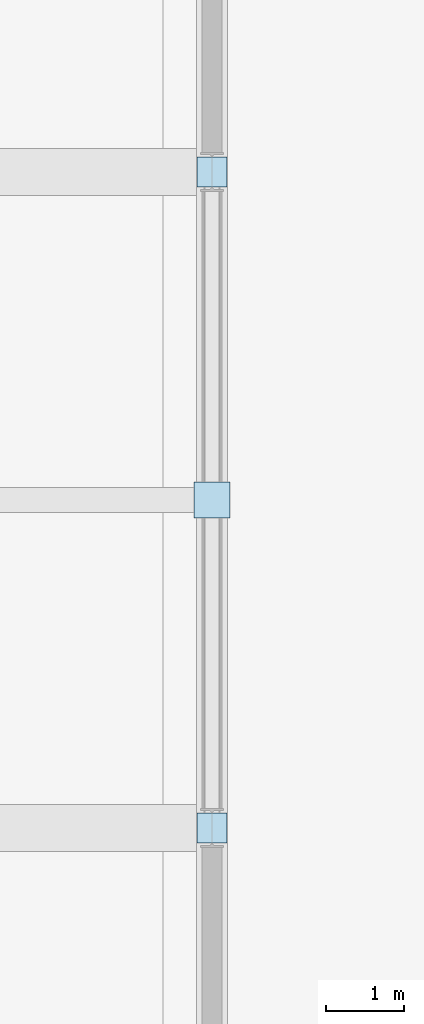
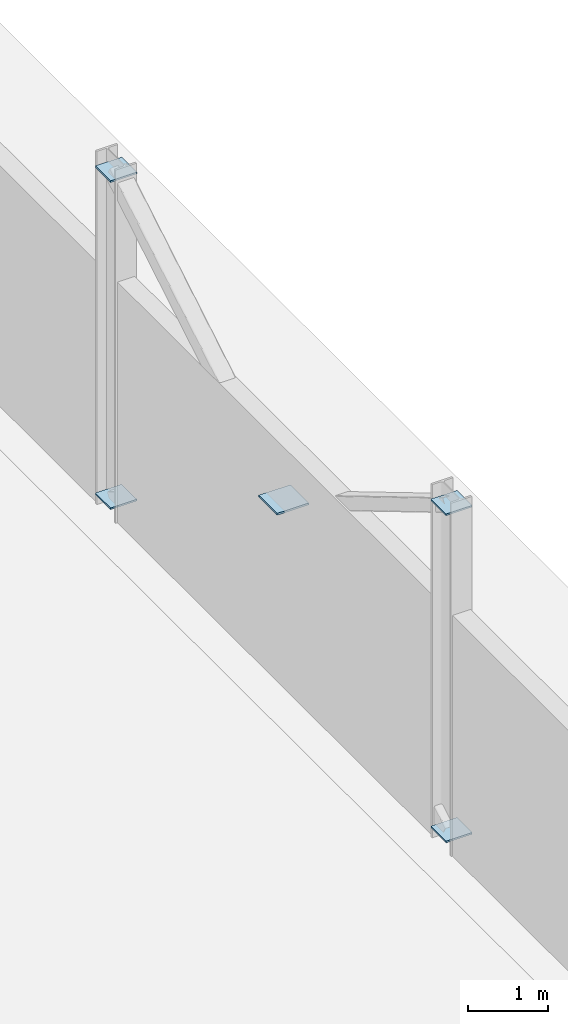
# One storey, part 85 of 124: 5 plates.
"""IFC4 building model written with IfcOpenShell, lengths in metres."""

from ifc_helpers import new_model, si_unit, direction, frame, origin, origin_2d, place, context, subcontext, project, spatial, rectangle, extrude, material, layer, layer_set, type_object, element, save


model = new_model("IFC4")

# Units and contexts
model_context = context("Model", 3, precision=1e-05, world=origin(), true_north=direction((0.0, 1.0)))
body_context = subcontext(model_context, "Body", "Model", "MODEL_VIEW")
ifc_project = project(units=[si_unit("LENGTHUNIT", "METRE"), si_unit("AREAUNIT", "SQUARE_METRE"), si_unit("VOLUMEUNIT", "CUBIC_METRE"), si_unit("PLANEANGLEUNIT", "RADIAN"), si_unit("MASSUNIT", "GRAM", prefix="KILO")], contexts=[model_context])

# Site, building, storey
site_placement = place(None, origin())
site = spatial("IfcSite", under=ifc_project, at=site_placement, CompositionType="ELEMENT")
building_placement = place(site_placement, origin())
building = spatial("IfcBuilding", under=site, at=building_placement, Name="Brelvane Convention Centre", CompositionType="ELEMENT")
storey_placement = place(building_placement, origin())
storey = spatial("IfcBuildingStorey", under=building, at=storey_placement, Name="L00", CompositionType="ELEMENT", Elevation=0.0)

# Plates
ifc_material_1 = material(Name="Steel E450 (450 MPa)", Category="steel")
ifc_layer_1 = layer(ifc_material_1, 0.028076171875)
ifc_layer_set_1 = layer_set([ifc_layer_1], Name="Steel E450 (450 MPa)")
plate_type_1 = type_object("IfcPlateType", Name="Steel Node Gusset Plate ND-2", PredefinedType="SHEET", material=ifc_layer_set_1)
plate_placement = place(storey_placement, frame((224.39990234375, 123.0, 2.68603515625), z_axis=(0.0, 0.0, 1.0), x_axis=(1.0, 0.0, 0.0)))
element("IfcPlate", 1, at=plate_placement, inside=storey, type_object=plate_type_1, Name="X-Brace Central Gusset V3E-1-L00", PredefinedType="SHEET", context=body_context, shape_type="SweptSolid", body=[
    extrude(rectangle(XDim=0.4599609375, YDim=0.4599609375, at=origin_2d()), origin(), (0.0, 0.0, 1.0), 0.028076171875),
])
ifc_material_2 = material(Name="Steel E450 (450 MPa)", Category="steel")
ifc_layer_2 = layer(ifc_material_2, 0.02490234375)
ifc_layer_set_2 = layer_set([ifc_layer_2], Name="Steel E450 (450 MPa)")
plate_type_2 = type_object("IfcPlateType", Name="Steel Node Gusset Plate ND-3", PredefinedType="SHEET", material=ifc_layer_set_2)
for number, where, z_axis, x_axis, name in (
    (2, (224.39990234375, 118.800048828125, 0.1875), (0.0, 0.0, 1.0), (1.0, 0.0, 0.0), "X-Brace End Gusset V3E-1-L00-1"),
    (3, (224.39990234375, 127.199951171875, 5.1875), (0.0, 0.0, 1.0), (1.0, 0.0, 0.0), "X-Brace End Gusset V3E-1-L00-2"),
    (4, (224.39990234375, 127.199951171875, 0.1875), (0.0, 0.0, 1.0), (1.0, 0.0, 0.0), "X-Brace End Gusset V3E-1-L00-3"),
    (5, (224.39990234375, 118.800048828125, 5.1875), (0.0, 0.0, 1.0), (1.0, 0.0, 0.0), "X-Brace End Gusset V3E-1-L00-4"),
):
    element("IfcPlate", number, at=place(storey_placement, frame(where, z_axis=z_axis, x_axis=x_axis)), inside=storey, type_object=plate_type_2, Name=name, PredefinedType="SHEET", context=body_context, shape_type="SweptSolid", body=[
        extrude(rectangle(XDim=0.3798828125, YDim=0.3798828125, at=origin_2d()), origin(), (0.0, 0.0, 1.0), 0.02490234375),
    ])

save(model, "model.ifc")
